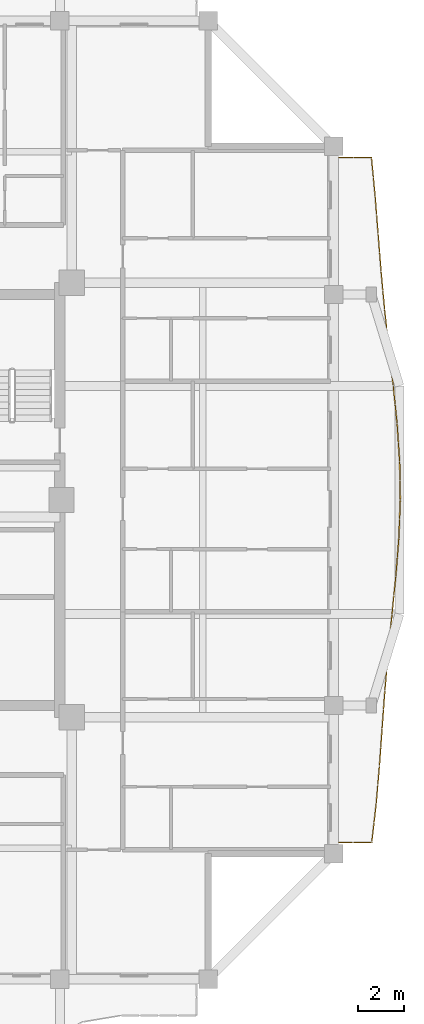
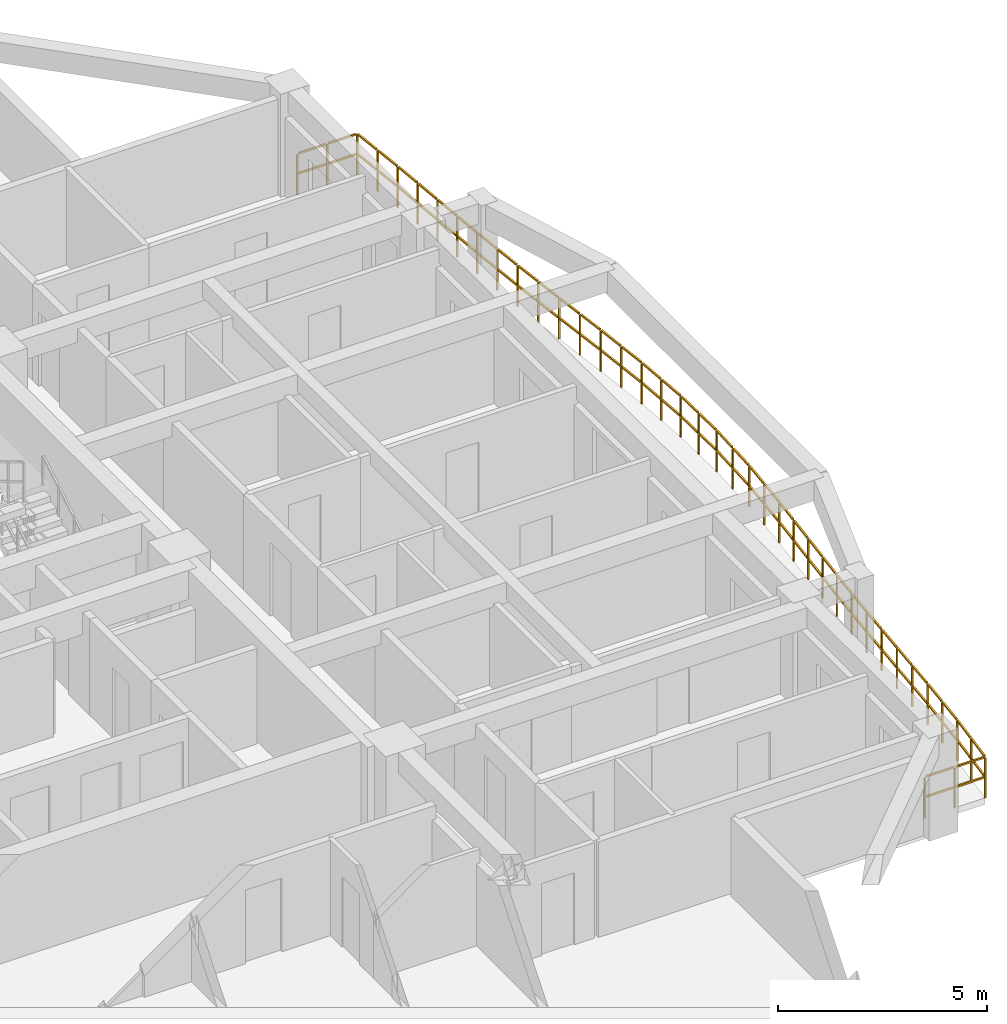
# One storey, part 12 of 13: 1 railing.
"""IFC4 building model written with IfcOpenShell, lengths in metres."""

from ifc_helpers import new_model, si_unit, direction, frame, origin, origin_2d, place, context, subcontext, project, spatial, rectangle, extrude, material, type_object, element, save


model = new_model("IFC4")

# Units and contexts
model_context = context("Model", 3, precision=1e-05, world=origin(), true_north=direction((0.0, 1.0)))
body_context = subcontext(model_context, "Body", "Model", "MODEL_VIEW")
ifc_project = project(units=[si_unit("LENGTHUNIT", "METRE"), si_unit("AREAUNIT", "SQUARE_METRE"), si_unit("VOLUMEUNIT", "CUBIC_METRE"), si_unit("PLANEANGLEUNIT", "RADIAN"), si_unit("MASSUNIT", "GRAM", prefix="KILO")], contexts=[model_context])

# Site, building, storey
site_placement = place(None, origin())
site = spatial("IfcSite", under=ifc_project, at=site_placement, CompositionType="ELEMENT")
building_placement = place(site_placement, origin())
building = spatial("IfcBuilding", under=site, at=building_placement, Name="Saelheon Loggia Tower", CompositionType="ELEMENT")
storey_placement = place(building_placement, frame((0.0, 0.0, 199.60009765625)))
storey = spatial("IfcBuildingStorey", under=building, at=storey_placement, Name="L62", CompositionType="ELEMENT", Elevation=199.60009765625)

# Railing
ifc_material = material(Name="Architectural Precast Concrete and Laminated Glass Guard", Category="concrete")
railing_type = type_object("IfcRailingType", Name="Guard_Loggia_RL_LOG", PredefinedType="BALUSTRADE", material=ifc_material)
railing_placement = place(storey_placement, frame((56.5, 12.0, 0.0)))
element("IfcRailing", 1, at=railing_placement, inside=storey, type_object=railing_type, Name="L62 East Loggia Balustrade", PredefinedType="BALUSTRADE", context=body_context, shape_type="SweptSolid", body=[
    extrude(rectangle(XDim=0.048095703125, YDim=0.048095703125, at=origin_2d()), frame((0.033203125, 0.0, 1.19580078125), z_axis=(1.0, 0.0, 0.0), x_axis=(0.0, 1.0, 0.0)), (0.0, 0.0, 1.0), 0.7685546875),
    extrude(rectangle(XDim=0.048095703125, YDim=0.048095703125, at=origin_2d()), frame((0.033203125, 0.0, 0.60986328125), z_axis=(1.0, 0.0, 0.0), x_axis=(0.0, 1.0, 0.0)), (0.0, 0.0, 1.0), 0.7685546875),
    extrude(rectangle(XDim=0.048095703125, YDim=0.048095703125, at=origin_2d()), frame((0.8681640625, 0.0, 1.19580078125), z_axis=(1.0, 0.0, 0.0), x_axis=(0.0, 1.0, 0.0)), (0.0, 0.0, 1.0), 0.7685546875),
    extrude(rectangle(XDim=0.048095703125, YDim=0.048095703125, at=origin_2d()), frame((0.8681640625, 0.0, 0.60986328125), z_axis=(1.0, 0.0, 0.0), x_axis=(0.0, 1.0, 0.0)), (0.0, 0.0, 1.0), 0.7685546875),
    extrude(rectangle(XDim=0.048095703125, YDim=0.048095703125, at=origin_2d()), frame((1.673828125, 0.032958984375, 1.19580078125), z_axis=(0.113944689513, 0.993487094899, 0.0), x_axis=(-0.993487094899, 0.113944689513, 0.0)), (0.0, 0.0, 1.0), 0.7724609375),
    extrude(rectangle(XDim=0.048095703125, YDim=0.048095703125, at=origin_2d()), frame((1.673828125, 0.032958984375, 0.60986328125), z_axis=(0.113944689513, 0.993487094899, 0.0), x_axis=(-0.993487094899, 0.113944689513, 0.0)), (0.0, 0.0, 1.0), 0.7724609375),
    extrude(rectangle(XDim=0.048095703125, YDim=0.048095703125, at=origin_2d()), frame((1.769287109375, 0.866455078125, 1.19580078125), z_axis=(0.113944689513, 0.993487094899, 0.0), x_axis=(-0.993487094899, 0.113944689513, 0.0)), (0.0, 0.0, 1.0), 0.7724609375),
    extrude(rectangle(XDim=0.048095703125, YDim=0.048095703125, at=origin_2d()), frame((1.769287109375, 0.866455078125, 0.60986328125), z_axis=(0.113944689513, 0.993487094899, 0.0), x_axis=(-0.993487094899, 0.113944689513, 0.0)), (0.0, 0.0, 1.0), 0.7724609375),
    extrude(rectangle(XDim=0.048095703125, YDim=0.048095703125, at=origin_2d()), frame((1.864013671875, 1.699951171875, 1.19580078125), z_axis=(0.085823395114, 0.996310365725, 0.0), x_axis=(-0.996310365725, 0.085823395114, 0.0)), (0.0, 0.0, 1.0), 0.769775390625),
    extrude(rectangle(XDim=0.048095703125, YDim=0.048095703125, at=origin_2d()), frame((1.864013671875, 1.699951171875, 0.60986328125), z_axis=(0.085823395114, 0.996310365725, 0.0), x_axis=(-0.996310365725, 0.085823395114, 0.0)), (0.0, 0.0, 1.0), 0.769775390625),
    extrude(rectangle(XDim=0.048095703125, YDim=0.048095703125, at=origin_2d()), frame((1.935791015625, 2.533203125, 1.19580078125), z_axis=(0.085823395114, 0.996310365725, 0.0), x_axis=(-0.996310365725, 0.085823395114, 0.0)), (0.0, 0.0, 1.0), 0.769775390625),
    extrude(rectangle(XDim=0.048095703125, YDim=0.048095703125, at=origin_2d()), frame((1.935791015625, 2.533203125, 0.60986328125), z_axis=(0.085823395114, 0.996310365725, 0.0), x_axis=(-0.996310365725, 0.085823395114, 0.0)), (0.0, 0.0, 1.0), 0.769775390625),
    extrude(rectangle(XDim=0.048095703125, YDim=0.048095703125, at=origin_2d()), frame((2.007080078125, 3.366455078125, 1.19580078125), z_axis=(0.071153601195, 0.997465370345, 0.0), x_axis=(-0.997465370345, 0.071153601195, 0.0)), (0.0, 0.0, 1.0), 0.76904296875),
    extrude(rectangle(XDim=0.048095703125, YDim=0.048095703125, at=origin_2d()), frame((2.007080078125, 3.366455078125, 0.60986328125), z_axis=(0.071153601195, 0.997465370345, 0.0), x_axis=(-0.997465370345, 0.071153601195, 0.0)), (0.0, 0.0, 1.0), 0.76904296875),
    extrude(rectangle(XDim=0.048095703125, YDim=0.048095703125, at=origin_2d()), frame((2.06640625, 4.19970703125, 1.19580078125), z_axis=(0.071153601195, 0.997465370345, 0.0), x_axis=(-0.997465370345, 0.071153601195, 0.0)), (0.0, 0.0, 1.0), 0.76904296875),
    extrude(rectangle(XDim=0.048095703125, YDim=0.048095703125, at=origin_2d()), frame((2.06640625, 4.19970703125, 0.60986328125), z_axis=(0.071153601195, 0.997465370345, 0.0), x_axis=(-0.997465370345, 0.071153601195, 0.0)), (0.0, 0.0, 1.0), 0.76904296875),
    extrude(rectangle(XDim=0.048095703125, YDim=0.048095703125, at=origin_2d()), frame((2.1259765625, 5.033203125, 1.19580078125), z_axis=(0.073188280205, 0.997318141638, 0.0), x_axis=(-0.997318141638, 0.073188280205, 0.0)), (0.0, 0.0, 1.0), 0.76904296875),
    extrude(rectangle(XDim=0.048095703125, YDim=0.048095703125, at=origin_2d()), frame((2.1259765625, 5.033203125, 0.60986328125), z_axis=(0.073188280205, 0.997318141638, 0.0), x_axis=(-0.997318141638, 0.073188280205, 0.0)), (0.0, 0.0, 1.0), 0.76904296875),
    extrude(rectangle(XDim=0.048095703125, YDim=0.048095703125, at=origin_2d()), frame((2.18701171875, 5.866455078125, 1.19580078125), z_axis=(0.073188280205, 0.997318141638, 0.0), x_axis=(-0.997318141638, 0.073188280205, 0.0)), (0.0, 0.0, 1.0), 0.76904296875),
    extrude(rectangle(XDim=0.048095703125, YDim=0.048095703125, at=origin_2d()), frame((2.18701171875, 5.866455078125, 0.60986328125), z_axis=(0.073188280205, 0.997318141638, 0.0), x_axis=(-0.997318141638, 0.073188280205, 0.0)), (0.0, 0.0, 1.0), 0.76904296875),
    extrude(rectangle(XDim=0.048095703125, YDim=0.048095703125, at=origin_2d()), frame((2.248779296875, 6.699951171875, 1.19580078125), z_axis=(0.086402883771, 0.996260278078, 0.0), x_axis=(-0.996260278078, 0.086402883771, 0.0)), (0.0, 0.0, 1.0), 0.77001953125),
    extrude(rectangle(XDim=0.048095703125, YDim=0.048095703125, at=origin_2d()), frame((2.248779296875, 6.699951171875, 0.60986328125), z_axis=(0.086402883771, 0.996260278078, 0.0), x_axis=(-0.996260278078, 0.086402883771, 0.0)), (0.0, 0.0, 1.0), 0.77001953125),
    extrude(rectangle(XDim=0.048095703125, YDim=0.048095703125, at=origin_2d()), frame((2.321044921875, 7.533203125, 1.19580078125), z_axis=(0.086402883771, 0.996260278078, 0.0), x_axis=(-0.996260278078, 0.086402883771, 0.0)), (0.0, 0.0, 1.0), 0.77001953125),
    extrude(rectangle(XDim=0.048095703125, YDim=0.048095703125, at=origin_2d()), frame((2.321044921875, 7.533203125, 0.60986328125), z_axis=(0.086402883771, 0.996260278078, 0.0), x_axis=(-0.996260278078, 0.086402883771, 0.0)), (0.0, 0.0, 1.0), 0.77001953125),
    extrude(rectangle(XDim=0.048095703125, YDim=0.048095703125, at=origin_2d()), frame((2.393798828125, 8.3662109375, 1.19580078125), z_axis=(0.099258387695, 0.995061692797, 0.0), x_axis=(-0.995061692797, 0.099258387695, 0.0)), (0.0, 0.0, 1.0), 0.77099609375),
    extrude(rectangle(XDim=0.048095703125, YDim=0.048095703125, at=origin_2d()), frame((2.393798828125, 8.3662109375, 0.60986328125), z_axis=(0.099258387695, 0.995061692797, 0.0), x_axis=(-0.995061692797, 0.099258387695, 0.0)), (0.0, 0.0, 1.0), 0.77099609375),
    extrude(rectangle(XDim=0.048095703125, YDim=0.048095703125, at=origin_2d()), frame((2.476806640625, 9.19970703125, 1.19580078125), z_axis=(0.099258387695, 0.995061692797, 0.0), x_axis=(-0.995061692797, 0.099258387695, 0.0)), (0.0, 0.0, 1.0), 0.77099609375),
    extrude(rectangle(XDim=0.048095703125, YDim=0.048095703125, at=origin_2d()), frame((2.476806640625, 9.19970703125, 0.60986328125), z_axis=(0.099258387695, 0.995061692797, 0.0), x_axis=(-0.995061692797, 0.099258387695, 0.0)), (0.0, 0.0, 1.0), 0.77099609375),
    extrude(rectangle(XDim=0.048095703125, YDim=0.048095703125, at=origin_2d()), frame((2.56005859375, 10.032958984375, 1.19580078125), z_axis=(0.099258387695, 0.995061692797, 0.0), x_axis=(-0.995061692797, 0.099258387695, 0.0)), (0.0, 0.0, 1.0), 0.77099609375),
    extrude(rectangle(XDim=0.048095703125, YDim=0.048095703125, at=origin_2d()), frame((2.56005859375, 10.032958984375, 0.60986328125), z_axis=(0.099258387695, 0.995061692797, 0.0), x_axis=(-0.995061692797, 0.099258387695, 0.0)), (0.0, 0.0, 1.0), 0.77099609375),
    extrude(rectangle(XDim=0.048095703125, YDim=0.048095703125, at=origin_2d()), frame((2.64306640625, 10.866455078125, 1.19580078125), z_axis=(0.099258387695, 0.995061692797, 0.0), x_axis=(-0.995061692797, 0.099258387695, 0.0)), (0.0, 0.0, 1.0), 0.77099609375),
    extrude(rectangle(XDim=0.048095703125, YDim=0.048095703125, at=origin_2d()), frame((2.64306640625, 10.866455078125, 0.60986328125), z_axis=(0.099258387695, 0.995061692797, 0.0), x_axis=(-0.995061692797, 0.099258387695, 0.0)), (0.0, 0.0, 1.0), 0.77099609375),
    extrude(rectangle(XDim=0.048095703125, YDim=0.048095703125, at=origin_2d()), frame((2.7255859375, 11.699951171875, 1.19580078125), z_axis=(0.078717763251, 0.996896942391, 0.0), x_axis=(-0.996896942391, 0.078717763251, 0.0)), (0.0, 0.0, 1.0), 0.769287109375),
    extrude(rectangle(XDim=0.048095703125, YDim=0.048095703125, at=origin_2d()), frame((2.7255859375, 11.699951171875, 0.60986328125), z_axis=(0.078717763251, 0.996896942391, 0.0), x_axis=(-0.996896942391, 0.078717763251, 0.0)), (0.0, 0.0, 1.0), 0.769287109375),
    extrude(rectangle(XDim=0.048095703125, YDim=0.048095703125, at=origin_2d()), frame((2.791259765625, 12.533203125, 1.19580078125), z_axis=(0.078717763251, 0.996896942391, 0.0), x_axis=(-0.996896942391, 0.078717763251, 0.0)), (0.0, 0.0, 1.0), 0.769287109375),
    extrude(rectangle(XDim=0.048095703125, YDim=0.048095703125, at=origin_2d()), frame((2.791259765625, 12.533203125, 0.60986328125), z_axis=(0.078717763251, 0.996896942391, 0.0), x_axis=(-0.996896942391, 0.078717763251, 0.0)), (0.0, 0.0, 1.0), 0.769287109375),
    extrude(rectangle(XDim=0.048095703125, YDim=0.048095703125, at=origin_2d()), frame((2.855712890625, 13.366455078125, 1.19580078125), z_axis=(0.037179491042, 0.999308603709, 0.0), x_axis=(-0.999308603709, 0.037179491042, 0.0)), (0.0, 0.0, 1.0), 0.767578125),
    extrude(rectangle(XDim=0.048095703125, YDim=0.048095703125, at=origin_2d()), frame((2.855712890625, 13.366455078125, 0.60986328125), z_axis=(0.037179491042, 0.999308603709, 0.0), x_axis=(-0.999308603709, 0.037179491042, 0.0)), (0.0, 0.0, 1.0), 0.767578125),
    extrude(rectangle(XDim=0.048095703125, YDim=0.048095703125, at=origin_2d()), frame((2.88671875, 14.199951171875, 1.19580078125), z_axis=(0.037179491042, 0.999308603709, 0.0), x_axis=(-0.999308603709, 0.037179491042, 0.0)), (0.0, 0.0, 1.0), 0.767578125),
    extrude(rectangle(XDim=0.048095703125, YDim=0.048095703125, at=origin_2d()), frame((2.88671875, 14.199951171875, 0.60986328125), z_axis=(0.037179491042, 0.999308603709, 0.0), x_axis=(-0.999308603709, 0.037179491042, 0.0)), (0.0, 0.0, 1.0), 0.767578125),
    extrude(rectangle(XDim=0.048095703125, YDim=0.048095703125, at=origin_2d()), frame((2.916015625, 15.033203125, 1.19580078125), z_axis=(-0.015817560951, 0.999874894557, 0.0), x_axis=(-0.999874894557, -0.015817560951, 0.0)), (0.0, 0.0, 1.0), 0.76708984375),
    extrude(rectangle(XDim=0.048095703125, YDim=0.048095703125, at=origin_2d()), frame((2.916015625, 15.033203125, 0.60986328125), z_axis=(-0.015817560951, 0.999874894557, 0.0), x_axis=(-0.999874894557, -0.015817560951, 0.0)), (0.0, 0.0, 1.0), 0.76708984375),
    extrude(rectangle(XDim=0.048095703125, YDim=0.048095703125, at=origin_2d()), frame((2.90283203125, 15.86669921875, 1.19580078125), z_axis=(-0.015817560951, 0.999874894557, 0.0), x_axis=(-0.999874894557, -0.015817560951, 0.0)), (0.0, 0.0, 1.0), 0.76708984375),
    extrude(rectangle(XDim=0.048095703125, YDim=0.048095703125, at=origin_2d()), frame((2.90283203125, 15.86669921875, 0.60986328125), z_axis=(-0.015817560951, 0.999874894557, 0.0), x_axis=(-0.999874894557, -0.015817560951, 0.0)), (0.0, 0.0, 1.0), 0.76708984375),
    extrude(rectangle(XDim=0.048095703125, YDim=0.048095703125, at=origin_2d()), frame((2.887939453125, 16.699951171875, 1.19580078125), z_axis=(-0.066509308686, 0.997785804598, 0.0), x_axis=(-0.997785804598, -0.066509308686, 0.0)), (0.0, 0.0, 1.0), 0.7685546875),
    extrude(rectangle(XDim=0.048095703125, YDim=0.048095703125, at=origin_2d()), frame((2.887939453125, 16.699951171875, 0.60986328125), z_axis=(-0.066509308686, 0.997785804598, 0.0), x_axis=(-0.997785804598, -0.066509308686, 0.0)), (0.0, 0.0, 1.0), 0.7685546875),
    extrude(rectangle(XDim=0.048095703125, YDim=0.048095703125, at=origin_2d()), frame((2.832275390625, 17.533203125, 1.19580078125), z_axis=(-0.066509308686, 0.997785804598, 0.0), x_axis=(-0.997785804598, -0.066509308686, 0.0)), (0.0, 0.0, 1.0), 0.7685546875),
    extrude(rectangle(XDim=0.048095703125, YDim=0.048095703125, at=origin_2d()), frame((2.832275390625, 17.533203125, 0.60986328125), z_axis=(-0.066509308686, 0.997785804598, 0.0), x_axis=(-0.997785804598, -0.066509308686, 0.0)), (0.0, 0.0, 1.0), 0.7685546875),
    extrude(rectangle(XDim=0.048095703125, YDim=0.048095703125, at=origin_2d()), frame((2.775634765625, 18.3662109375, 1.19580078125), z_axis=(-0.101855086203, 0.99479924679, 0.0), x_axis=(-0.99479924679, -0.101855086203, 0.0)), (0.0, 0.0, 1.0), 0.771240234375),
    extrude(rectangle(XDim=0.048095703125, YDim=0.048095703125, at=origin_2d()), frame((2.775634765625, 18.3662109375, 0.60986328125), z_axis=(-0.101855086203, 0.99479924679, 0.0), x_axis=(-0.99479924679, -0.101855086203, 0.0)), (0.0, 0.0, 1.0), 0.771240234375),
    extrude(rectangle(XDim=0.048095703125, YDim=0.048095703125, at=origin_2d()), frame((2.6904296875, 19.19970703125, 1.19580078125), z_axis=(-0.101855086203, 0.99479924679, 0.0), x_axis=(-0.99479924679, -0.101855086203, 0.0)), (0.0, 0.0, 1.0), 0.771240234375),
    extrude(rectangle(XDim=0.048095703125, YDim=0.048095703125, at=origin_2d()), frame((2.6904296875, 19.19970703125, 0.60986328125), z_axis=(-0.101855086203, 0.99479924679, 0.0), x_axis=(-0.99479924679, -0.101855086203, 0.0)), (0.0, 0.0, 1.0), 0.771240234375),
    extrude(rectangle(XDim=0.048095703125, YDim=0.048095703125, at=origin_2d()), frame((2.6044921875, 20.032958984375, 1.19580078125), z_axis=(-0.11494995089, 0.99337128446, 0.0), x_axis=(-0.99337128446, -0.11494995089, 0.0)), (0.0, 0.0, 1.0), 0.7724609375),
    extrude(rectangle(XDim=0.048095703125, YDim=0.048095703125, at=origin_2d()), frame((2.6044921875, 20.032958984375, 0.60986328125), z_axis=(-0.11494995089, 0.99337128446, 0.0), x_axis=(-0.99337128446, -0.11494995089, 0.0)), (0.0, 0.0, 1.0), 0.7724609375),
    extrude(rectangle(XDim=0.048095703125, YDim=0.048095703125, at=origin_2d()), frame((2.508056640625, 20.866455078125, 1.19580078125), z_axis=(-0.11494995089, 0.99337128446, 0.0), x_axis=(-0.99337128446, -0.11494995089, 0.0)), (0.0, 0.0, 1.0), 0.7724609375),
    extrude(rectangle(XDim=0.048095703125, YDim=0.048095703125, at=origin_2d()), frame((2.508056640625, 20.866455078125, 0.60986328125), z_axis=(-0.11494995089, 0.99337128446, 0.0), x_axis=(-0.99337128446, -0.11494995089, 0.0)), (0.0, 0.0, 1.0), 0.7724609375),
    extrude(rectangle(XDim=0.048095703125, YDim=0.048095703125, at=origin_2d()), frame((2.411865234375, 21.69970703125, 1.19580078125), z_axis=(-0.108641144333, 0.994081033799, 0.0), x_axis=(-0.994081033799, -0.108641144333, 0.0)), (0.0, 0.0, 1.0), 0.771728515625),
    extrude(rectangle(XDim=0.048095703125, YDim=0.048095703125, at=origin_2d()), frame((2.411865234375, 21.69970703125, 0.60986328125), z_axis=(-0.108641144333, 0.994081033799, 0.0), x_axis=(-0.994081033799, -0.108641144333, 0.0)), (0.0, 0.0, 1.0), 0.771728515625),
    extrude(rectangle(XDim=0.048095703125, YDim=0.048095703125, at=origin_2d()), frame((2.32080078125, 22.532958984375, 1.19580078125), z_axis=(-0.108641144333, 0.994081033799, 0.0), x_axis=(-0.994081033799, -0.108641144333, 0.0)), (0.0, 0.0, 1.0), 0.771728515625),
    extrude(rectangle(XDim=0.048095703125, YDim=0.048095703125, at=origin_2d()), frame((2.32080078125, 22.532958984375, 0.60986328125), z_axis=(-0.108641144333, 0.994081033799, 0.0), x_axis=(-0.994081033799, -0.108641144333, 0.0)), (0.0, 0.0, 1.0), 0.771728515625),
    extrude(rectangle(XDim=0.048095703125, YDim=0.048095703125, at=origin_2d()), frame((2.230224609375, 23.366455078125, 1.19580078125), z_axis=(-0.092179464317, 0.995742409641, 0.0), x_axis=(-0.995742409641, -0.092179464317, 0.0)), (0.0, 0.0, 1.0), 0.7705078125),
    extrude(rectangle(XDim=0.048095703125, YDim=0.048095703125, at=origin_2d()), frame((2.230224609375, 23.366455078125, 0.60986328125), z_axis=(-0.092179464317, 0.995742409641, 0.0), x_axis=(-0.995742409641, -0.092179464317, 0.0)), (0.0, 0.0, 1.0), 0.7705078125),
    extrude(rectangle(XDim=0.048095703125, YDim=0.048095703125, at=origin_2d()), frame((2.153076171875, 24.19970703125, 1.19580078125), z_axis=(-0.092179464317, 0.995742409641, 0.0), x_axis=(-0.995742409641, -0.092179464317, 0.0)), (0.0, 0.0, 1.0), 0.7705078125),
    extrude(rectangle(XDim=0.048095703125, YDim=0.048095703125, at=origin_2d()), frame((2.153076171875, 24.19970703125, 0.60986328125), z_axis=(-0.092179464317, 0.995742409641, 0.0), x_axis=(-0.995742409641, -0.092179464317, 0.0)), (0.0, 0.0, 1.0), 0.7705078125),
    extrude(rectangle(XDim=0.048095703125, YDim=0.048095703125, at=origin_2d()), frame((2.076416015625, 25.033203125, 1.19580078125), z_axis=(-0.078851420083, 0.996886379459, 0.0), x_axis=(-0.996886379459, -0.078851420083, 0.0)), (0.0, 0.0, 1.0), 0.76953125),
    extrude(rectangle(XDim=0.048095703125, YDim=0.048095703125, at=origin_2d()), frame((2.076416015625, 25.033203125, 0.60986328125), z_axis=(-0.078851420083, 0.996886379459, 0.0), x_axis=(-0.996886379459, -0.078851420083, 0.0)), (0.0, 0.0, 1.0), 0.76953125),
    extrude(rectangle(XDim=0.048095703125, YDim=0.048095703125, at=origin_2d()), frame((2.010498046875, 25.866455078125, 1.19580078125), z_axis=(-0.078851420083, 0.996886379459, 0.0), x_axis=(-0.996886379459, -0.078851420083, 0.0)), (0.0, 0.0, 1.0), 0.76953125),
    extrude(rectangle(XDim=0.048095703125, YDim=0.048095703125, at=origin_2d()), frame((2.010498046875, 25.866455078125, 0.60986328125), z_axis=(-0.078851420083, 0.996886379459, 0.0), x_axis=(-0.996886379459, -0.078851420083, 0.0)), (0.0, 0.0, 1.0), 0.76953125),
    extrude(rectangle(XDim=0.048095703125, YDim=0.048095703125, at=origin_2d()), frame((1.944580078125, 26.699951171875, 1.19580078125), z_axis=(-0.078717763251, 0.996896942391, 0.0), x_axis=(-0.996896942391, -0.078717763251, 0.0)), (0.0, 0.0, 1.0), 0.769287109375),
    extrude(rectangle(XDim=0.048095703125, YDim=0.048095703125, at=origin_2d()), frame((1.944580078125, 26.699951171875, 0.60986328125), z_axis=(-0.078717763251, 0.996896942391, 0.0), x_axis=(-0.996896942391, -0.078717763251, 0.0)), (0.0, 0.0, 1.0), 0.769287109375),
    extrude(rectangle(XDim=0.048095703125, YDim=0.048095703125, at=origin_2d()), frame((1.87890625, 27.533203125, 1.19580078125), z_axis=(-0.078717763251, 0.996896942391, 0.0), x_axis=(-0.996896942391, -0.078717763251, 0.0)), (0.0, 0.0, 1.0), 0.769287109375),
    extrude(rectangle(XDim=0.048095703125, YDim=0.048095703125, at=origin_2d()), frame((1.87890625, 27.533203125, 0.60986328125), z_axis=(-0.078717763251, 0.996896942391, 0.0), x_axis=(-0.996896942391, -0.078717763251, 0.0)), (0.0, 0.0, 1.0), 0.769287109375),
    extrude(rectangle(XDim=0.048095703125, YDim=0.048095703125, at=origin_2d()), frame((1.8125, 28.366455078125, 1.19580078125), z_axis=(-0.095215063938, 0.995456725126, 0.0), x_axis=(-0.995456725126, -0.095215063938, 0.0)), (0.0, 0.0, 1.0), 0.770751953125),
    extrude(rectangle(XDim=0.048095703125, YDim=0.048095703125, at=origin_2d()), frame((1.8125, 28.366455078125, 0.60986328125), z_axis=(-0.095215063938, 0.995456725126, 0.0), x_axis=(-0.995456725126, -0.095215063938, 0.0)), (0.0, 0.0, 1.0), 0.770751953125),
    extrude(rectangle(XDim=0.048095703125, YDim=0.048095703125, at=origin_2d()), frame((1.73291015625, 29.19970703125, 1.19580078125), z_axis=(-0.095215063938, 0.995456725126, 0.0), x_axis=(-0.995456725126, -0.095215063938, 0.0)), (0.0, 0.0, 1.0), 0.770751953125),
    extrude(rectangle(XDim=0.048095703125, YDim=0.048095703125, at=origin_2d()), frame((1.73291015625, 29.19970703125, 0.60986328125), z_axis=(-0.095215063938, 0.995456725126, 0.0), x_axis=(-0.995456725126, -0.095215063938, 0.0)), (0.0, 0.0, 1.0), 0.770751953125),
    extrude(rectangle(XDim=0.048095703125, YDim=0.048095703125, at=origin_2d()), frame((1.623046875, 30.0, 1.19580078125), z_axis=(-1.0, 0.0, 0.0), x_axis=(0.0, -1.0, 0.0)), (0.0, 0.0, 1.0), 0.76171875),
    extrude(rectangle(XDim=0.048095703125, YDim=0.048095703125, at=origin_2d()), frame((1.623046875, 30.0, 0.60986328125), z_axis=(-1.0, 0.0, 0.0), x_axis=(0.0, -1.0, 0.0)), (0.0, 0.0, 1.0), 0.76171875),
    extrude(rectangle(XDim=0.048095703125, YDim=0.048095703125, at=origin_2d()), frame((0.794921875, 30.0, 1.19580078125), z_axis=(-1.0, 0.0, 0.0), x_axis=(0.0, -1.0, 0.0)), (0.0, 0.0, 1.0), 0.76171875),
    extrude(rectangle(XDim=0.048095703125, YDim=0.048095703125, at=origin_2d()), frame((0.794921875, 30.0, 0.60986328125), z_axis=(-1.0, 0.0, 0.0), x_axis=(0.0, -1.0, 0.0)), (0.0, 0.0, 1.0), 0.76171875),
    extrude(rectangle(XDim=0.0419921875, YDim=0.0419921875, at=origin_2d()), origin(), (0.0, 0.0, 1.0), 1.16796875),
    extrude(rectangle(XDim=0.0419921875, YDim=0.0419921875, at=origin_2d()), frame((0.8349609375, 0.0, 0.0)), (0.0, 0.0, 1.0), 1.16796875),
    extrude(rectangle(XDim=0.0419921875, YDim=0.0419921875, at=origin_2d()), frame((1.669921875, 0.0, 0.0)), (0.0, 0.0, 1.0), 1.16796875),
    extrude(rectangle(XDim=0.0419921875, YDim=0.0419921875, at=origin_2d()), frame((1.765625, 0.83349609375, 0.0)), (0.0, 0.0, 1.0), 1.16796875),
    extrude(rectangle(XDim=0.0419921875, YDim=0.0419921875, at=origin_2d()), frame((1.861083984375, 1.666748046875, 0.0)), (0.0, 0.0, 1.0), 1.16796875),
    extrude(rectangle(XDim=0.0419921875, YDim=0.0419921875, at=origin_2d()), frame((1.932861328125, 2.5, 0.0)), (0.0, 0.0, 1.0), 1.16796875),
    extrude(rectangle(XDim=0.0419921875, YDim=0.0419921875, at=origin_2d()), frame((2.004638671875, 3.333251953125, 0.0)), (0.0, 0.0, 1.0), 1.16796875),
    extrude(rectangle(XDim=0.0419921875, YDim=0.0419921875, at=origin_2d()), frame((2.06396484375, 4.16650390625, 0.0)), (0.0, 0.0, 1.0), 1.16796875),
    extrude(rectangle(XDim=0.0419921875, YDim=0.0419921875, at=origin_2d()), frame((2.12353515625, 5.0, 0.0)), (0.0, 0.0, 1.0), 1.16796875),
    extrude(rectangle(XDim=0.0419921875, YDim=0.0419921875, at=origin_2d()), frame((2.1845703125, 5.83349609375, 0.0)), (0.0, 0.0, 1.0), 1.16796875),
    extrude(rectangle(XDim=0.0419921875, YDim=0.0419921875, at=origin_2d()), frame((2.245849609375, 6.666748046875, 0.0)), (0.0, 0.0, 1.0), 1.16796875),
    extrude(rectangle(XDim=0.0419921875, YDim=0.0419921875, at=origin_2d()), frame((2.318115234375, 7.5, 0.0)), (0.0, 0.0, 1.0), 1.16796875),
    extrude(rectangle(XDim=0.0419921875, YDim=0.0419921875, at=origin_2d()), frame((2.390380859375, 8.333251953125, 0.0)), (0.0, 0.0, 1.0), 1.16796875),
    extrude(rectangle(XDim=0.0419921875, YDim=0.0419921875, at=origin_2d()), frame((2.4736328125, 9.16650390625, 0.0)), (0.0, 0.0, 1.0), 1.16796875),
    extrude(rectangle(XDim=0.0419921875, YDim=0.0419921875, at=origin_2d()), frame((2.556640625, 10.0, 0.0)), (0.0, 0.0, 1.0), 1.16796875),
    extrude(rectangle(XDim=0.0419921875, YDim=0.0419921875, at=origin_2d()), frame((2.6396484375, 10.83349609375, 0.0)), (0.0, 0.0, 1.0), 1.16796875),
    extrude(rectangle(XDim=0.0419921875, YDim=0.0419921875, at=origin_2d()), frame((2.722900390625, 11.666748046875, 0.0)), (0.0, 0.0, 1.0), 1.16796875),
    extrude(rectangle(XDim=0.0419921875, YDim=0.0419921875, at=origin_2d()), frame((2.78857421875, 12.5, 0.0)), (0.0, 0.0, 1.0), 1.16796875),
    extrude(rectangle(XDim=0.0419921875, YDim=0.0419921875, at=origin_2d()), frame((2.8544921875, 13.333251953125, 0.0)), (0.0, 0.0, 1.0), 1.16796875),
    extrude(rectangle(XDim=0.0419921875, YDim=0.0419921875, at=origin_2d()), frame((2.885498046875, 14.16650390625, 0.0)), (0.0, 0.0, 1.0), 1.16796875),
    extrude(rectangle(XDim=0.0419921875, YDim=0.0419921875, at=origin_2d()), frame((2.91650390625, 15.0, 0.0)), (0.0, 0.0, 1.0), 1.16796875),
    extrude(rectangle(XDim=0.0419921875, YDim=0.0419921875, at=origin_2d()), frame((2.9033203125, 15.83349609375, 0.0)), (0.0, 0.0, 1.0), 1.16796875),
    extrude(rectangle(XDim=0.0419921875, YDim=0.0419921875, at=origin_2d()), frame((2.89013671875, 16.666748046875, 0.0)), (0.0, 0.0, 1.0), 1.16796875),
    extrude(rectangle(XDim=0.0419921875, YDim=0.0419921875, at=origin_2d()), frame((2.83447265625, 17.5, 0.0)), (0.0, 0.0, 1.0), 1.16796875),
    extrude(rectangle(XDim=0.0419921875, YDim=0.0419921875, at=origin_2d()), frame((2.779052734375, 18.333251953125, 0.0)), (0.0, 0.0, 1.0), 1.16796875),
    extrude(rectangle(XDim=0.0419921875, YDim=0.0419921875, at=origin_2d()), frame((2.69384765625, 19.16650390625, 0.0)), (0.0, 0.0, 1.0), 1.16796875),
    extrude(rectangle(XDim=0.0419921875, YDim=0.0419921875, at=origin_2d()), frame((2.6083984375, 20.0, 0.0)), (0.0, 0.0, 1.0), 1.16796875),
    extrude(rectangle(XDim=0.0419921875, YDim=0.0419921875, at=origin_2d()), frame((2.511962890625, 20.83349609375, 0.0)), (0.0, 0.0, 1.0), 1.16796875),
    extrude(rectangle(XDim=0.0419921875, YDim=0.0419921875, at=origin_2d()), frame((2.41552734375, 21.666748046875, 0.0)), (0.0, 0.0, 1.0), 1.16796875),
    extrude(rectangle(XDim=0.0419921875, YDim=0.0419921875, at=origin_2d()), frame((2.324462890625, 22.5, 0.0)), (0.0, 0.0, 1.0), 1.16796875),
    extrude(rectangle(XDim=0.0419921875, YDim=0.0419921875, at=origin_2d()), frame((2.2333984375, 23.333251953125, 0.0)), (0.0, 0.0, 1.0), 1.16796875),
    extrude(rectangle(XDim=0.0419921875, YDim=0.0419921875, at=origin_2d()), frame((2.15625, 24.16650390625, 0.0)), (0.0, 0.0, 1.0), 1.16796875),
    extrude(rectangle(XDim=0.0419921875, YDim=0.0419921875, at=origin_2d()), frame((2.0791015625, 25.0, 0.0)), (0.0, 0.0, 1.0), 1.16796875),
    extrude(rectangle(XDim=0.0419921875, YDim=0.0419921875, at=origin_2d()), frame((2.01318359375, 25.83349609375, 0.0)), (0.0, 0.0, 1.0), 1.16796875),
    extrude(rectangle(XDim=0.0419921875, YDim=0.0419921875, at=origin_2d()), frame((1.947265625, 26.666748046875, 0.0)), (0.0, 0.0, 1.0), 1.16796875),
    extrude(rectangle(XDim=0.0419921875, YDim=0.0419921875, at=origin_2d()), frame((1.88134765625, 27.5, 0.0)), (0.0, 0.0, 1.0), 1.16796875),
    extrude(rectangle(XDim=0.0419921875, YDim=0.0419921875, at=origin_2d()), frame((1.815673828125, 28.333251953125, 0.0)), (0.0, 0.0, 1.0), 1.16796875),
    extrude(rectangle(XDim=0.0419921875, YDim=0.0419921875, at=origin_2d()), frame((1.73583984375, 29.16650390625, 0.0)), (0.0, 0.0, 1.0), 1.16796875),
    extrude(rectangle(XDim=0.0419921875, YDim=0.0419921875, at=origin_2d()), frame((1.65625, 30.0, 0.0)), (0.0, 0.0, 1.0), 1.16796875),
    extrude(rectangle(XDim=0.0419921875, YDim=0.0419921875, at=origin_2d()), frame((0.828125, 30.0, 0.0)), (0.0, 0.0, 1.0), 1.16796875),
    extrude(rectangle(XDim=0.0419921875, YDim=0.0419921875, at=origin_2d()), frame((0.0, 30.0, 0.0)), (0.0, 0.0, 1.0), 1.16796875),
])

save(model, "model.ifc")
